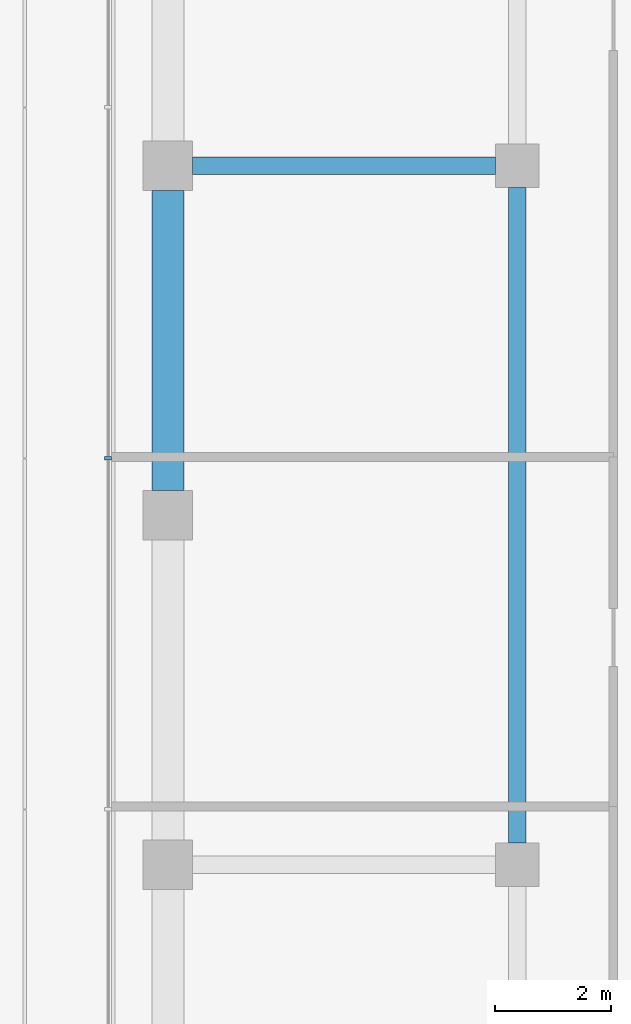
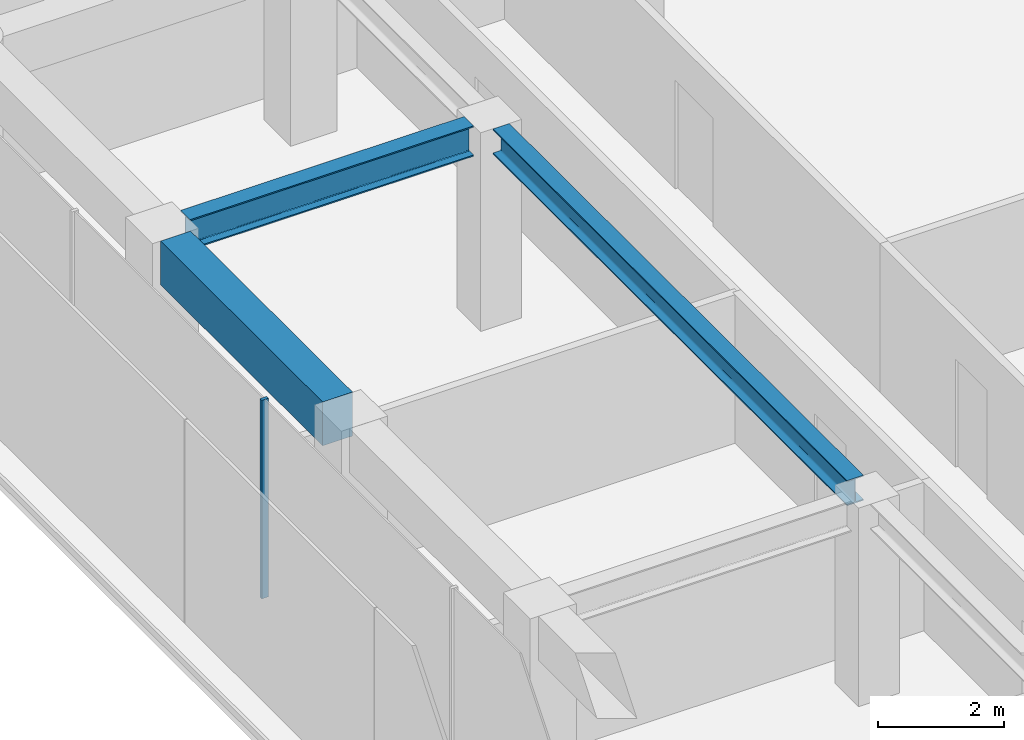
# One storey, part 11 of 21: 3 beams, 1 member, 1 element without a shape of its own.
"""IFC4 building model written with IfcOpenShell, lengths in metres."""

import ifcopenshell
import ifcopenshell.guid

model = None  # the IFC model being written
_history = None  # IfcOwnerHistory: only IFC2X3 demands one
_inside = {}  # id of a spatial element -> (the spatial element, [elements in it])
_under = {}  # id of a project, library or spatial element -> (it, [spatial elements below it])
_declared = {}  # id of a project -> (the project, [libraries it declares])
_typed = {}  # id of a type object -> (the type object, [elements of that type])
_made_of = {}  # id of a material, layer set ... -> (it, [elements and type objects made of it])


def new_model(schema):
    """Start an empty IFC model of exactly this schema.

    Asked for "IFC4X3", IfcOpenShell would pick the latest addendum, in which some entities
    have other attributes; the version numbers below select the first issue.
    IFC2X3 requires an IfcOwnerHistory on every rooted entity: one is made here for all.
    """
    global model, _history
    if schema == "IFC4X3":
        model = ifcopenshell.file(schema_version=(4, 3, 0, 0))
    else:
        model = ifcopenshell.file(schema=schema)
    _inside.clear()
    _under.clear()
    _declared.clear()
    _typed.clear()
    _made_of.clear()
    _history = None
    if model.schema == "IFC2X3":
        org = make("IfcOrganization", Name="unknown")
        user = make(
            "IfcPersonAndOrganization",
            ThePerson=make("IfcPerson", FamilyName="unknown"),
            TheOrganization=org,
        )
        app = make(
            "IfcApplication",
            ApplicationDeveloper=org,
            Version="unknown",
            ApplicationFullName="unknown",
            ApplicationIdentifier="unknown",
        )
        _history = make(
            "IfcOwnerHistory",
            OwningUser=user,
            OwningApplication=app,
            ChangeAction="ADDED",
            CreationDate=0,
        )
    return model


def make(cls, **values):
    """One entity of the class cls with the attributes given. An attribute that is None is left unset."""
    return model.create_entity(
        cls, **{name: value for name, value in values.items() if value is not None}
    )


def rooted(cls, **values):
    """An entity with a GlobalId (a new one), such as an element, a storey or a relation."""
    return make(cls, GlobalId=ifcopenshell.guid.new(), OwnerHistory=_history, **values)


def si_unit(unit_type, name, prefix=None):
    """IfcSIUnit, for example si_unit("LENGTHUNIT", "METRE", prefix="MILLI")."""
    return make("IfcSIUnit", UnitType=unit_type, Prefix=prefix, Name=name)


def assignment(units):
    """IfcUnitAssignment: the units of a project."""
    return None if units is None else make("IfcUnitAssignment", Units=units)


def point(xyz):
    """IfcCartesianPoint."""
    return None if xyz is None else make("IfcCartesianPoint", Coordinates=xyz)


def direction(xyz):
    """IfcDirection."""
    return None if xyz is None else make("IfcDirection", DirectionRatios=xyz)


def frame(location, z_axis=None, x_axis=None):
    """IfcAxis2Placement3D, a coordinate frame: its origin and axes. An axis left out is left unset."""
    return make(
        "IfcAxis2Placement3D",
        Location=point(location),
        Axis=direction(z_axis),
        RefDirection=direction(x_axis),
    )


def frame_2d(location, x_axis=None):
    """IfcAxis2Placement2D, a coordinate frame in the plane: its origin and x axis."""
    return make(
        "IfcAxis2Placement2D", Location=point(location), RefDirection=direction(x_axis)
    )


def origin():
    """The frame at (0, 0, 0) with its axes left unset."""
    return frame((0.0, 0.0, 0.0))


def origin_2d():
    """The frame at (0, 0) in the plane with its x axis left unset."""
    return frame_2d((0.0, 0.0))


def place(relative_to, where):
    """IfcLocalPlacement: puts the frame where relative to a parent placement (None: the world)."""
    return make(
        "IfcLocalPlacement", PlacementRelTo=relative_to, RelativePlacement=where
    )


def context(
    kind, dimensions, precision=None, world=None, true_north=None, identifier=None
):
    """IfcGeometricRepresentationContext, for example the 3D "Model" context."""
    return make(
        "IfcGeometricRepresentationContext",
        ContextIdentifier=identifier,
        ContextType=kind,
        CoordinateSpaceDimension=dimensions,
        Precision=precision,
        WorldCoordinateSystem=world,
        TrueNorth=true_north,
    )


def subcontext(parent, identifier, kind, view, scale=None):
    """IfcGeometricRepresentationSubContext, for example "Body" below "Model"."""
    return make(
        "IfcGeometricRepresentationSubContext",
        ContextIdentifier=identifier,
        ContextType=kind,
        ParentContext=parent,
        TargetScale=scale,
        TargetView=view,
    )


def project(units=None, contexts=None):
    """IfcProject with its units and contexts."""
    return rooted(
        "IfcProject",
        Name="project",
        RepresentationContexts=contexts,
        UnitsInContext=assignment(units),
    )


def spatial(cls, under=None, at=None, **own):
    """A site, building, storey or space (cls), placed at a placement, below another one or the project."""
    s = rooted(cls, ObjectPlacement=at, **own)
    if under is not None:
        _under.setdefault(under.id(), (under, []))[1].append(s)
    return s


def profile(cls, at=None, kind="AREA", **sizes):
    """A parametric profile (cls). Its sizes go by their IFC names, for example OverallWidth=200.0."""
    return make(cls, ProfileType=kind, Position=at, **sizes)


def rectangle(**sizes):
    """IfcRectangleProfileDef."""
    return profile("IfcRectangleProfileDef", **sizes)


def i_section(**sizes):
    """IfcIShapeProfileDef."""
    return profile("IfcIShapeProfileDef", **sizes)


def extrude(swept, where, along, depth):
    """IfcExtrudedAreaSolid: the profile swept, set in the frame where, extruded along a direction by depth."""
    return make(
        "IfcExtrudedAreaSolid",
        SweptArea=swept,
        Position=where,
        ExtrudedDirection=direction(along),
        Depth=depth,
    )


def shape(context_of_items, identifier, shape_type, items):
    """IfcShapeRepresentation: the items that make up one representation, for example the "Body"."""
    return make(
        "IfcShapeRepresentation",
        ContextOfItems=context_of_items,
        RepresentationIdentifier=identifier,
        RepresentationType=shape_type,
        Items=items,
    )


def material(Name=None, Category=None):
    """IfcMaterial."""
    return make("IfcMaterial", Name=Name, Category=Category)


def layer(
    of_material, thickness, ventilated=None, Name=None, Category=None, Priority=None
):
    """IfcMaterialLayer: one layer of a wall or slab, of a material (None: an air gap)."""
    return make(
        "IfcMaterialLayer",
        Material=of_material,
        LayerThickness=thickness,
        IsVentilated=ventilated,
        Name=Name,
        Category=Category,
        Priority=Priority,
    )


def layer_set(layers, Name=None):
    """IfcMaterialLayerSet."""
    return make("IfcMaterialLayerSet", MaterialLayers=layers, LayerSetName=Name)


def material_profile(
    of_material, cross_section, Name=None, Category=None, Priority=None
):
    """IfcMaterialProfile: a cross section and its material."""
    return make(
        "IfcMaterialProfile",
        Name=Name,
        Material=of_material,
        Profile=cross_section,
        Priority=Priority,
        Category=Category,
    )


def profile_set(profiles, Name=None, composite=None):
    """IfcMaterialProfileSet."""
    return make(
        "IfcMaterialProfileSet",
        Name=Name,
        MaterialProfiles=profiles,
        CompositeProfile=composite,
    )


def made_of(thing, what):
    """Note that an element or type object is made of a material, layer set ...; save() writes the relation."""
    if what is not None:
        _made_of.setdefault(what.id(), (what, []))[1].append(thing)
    return thing


def type_object(cls, material=None, **own):
    """A type object (cls), such as IfcWallType, which elements share."""
    return made_of(rooted(cls, **own), material)


def element(
    cls,
    number,
    at=None,
    inside=None,
    cuts=None,
    type_object=None,
    material=None,
    context=None,
    identifier="Body",
    shape_type=None,
    held_by="IfcProductDefinitionShape",
    body=None,
    shapes=None,
    **own,
):
    """One element of the class cls, such as IfcWall. Its Tag is "e" and its number.

    at: its placement. inside: the storey or other place that contains it. cuts: it is an
    opening in that element (IfcRelVoidsElement). A single representation is given by context,
    identifier, shape_type and body (its items); several are given by shapes. held_by: the class
    of the entity that holds the representations. save() writes the other relations.
    """
    e = rooted(cls, Tag="e%d" % number, ObjectPlacement=at, **own)
    if body is not None:
        shapes = [shape(context, identifier, shape_type, body)]
    if shapes is not None:
        e.Representation = make(held_by, Representations=shapes)
    if inside is not None:
        _inside.setdefault(inside.id(), (inside, []))[1].append(e)
    if cuts is not None:
        rooted(
            "IfcRelVoidsElement", RelatingBuildingElement=cuts, RelatedOpeningElement=e
        )
    if type_object is not None:
        _typed.setdefault(type_object.id(), (type_object, []))[1].append(e)
    return made_of(e, material)


def aggregate(whole, parts):
    """IfcRelAggregates: a whole, such as a stair, and the parts it consists of."""
    return rooted("IfcRelAggregates", RelatingObject=whole, RelatedObjects=parts)


def save(model, path):
    """Write the relations noted so far, then the file.

    IfcRelAggregates (storeys below a building ...), IfcRelContainedInSpatialStructure (elements
    in a storey), IfcRelDefinesByType, IfcRelAssociatesMaterial and IfcRelDeclares: one each for
    every whole, place, type object, material and project.
    """
    for whole, parts in _under.values():
        aggregate(whole, parts)
    for where, things in _inside.values():
        rooted(
            "IfcRelContainedInSpatialStructure",
            RelatedElements=things,
            RelatingStructure=where,
        )
    for kind, things in _typed.values():
        rooted("IfcRelDefinesByType", RelatedObjects=things, RelatingType=kind)
    for what, things in _made_of.values():
        rooted("IfcRelAssociatesMaterial", RelatedObjects=things, RelatingMaterial=what)
    for by, libraries in _declared.values():
        rooted("IfcRelDeclares", RelatingContext=by, RelatedDefinitions=libraries)
    model.write(path)


model = new_model("IFC4")

# Units and contexts
model_context = context("Model", 3, precision=1e-05, world=origin(), true_north=direction((0.0, 1.0)))
body_context = subcontext(model_context, "Body", "Model", "MODEL_VIEW")
ifc_project = project(units=[si_unit("LENGTHUNIT", "METRE"), si_unit("AREAUNIT", "SQUARE_METRE"), si_unit("VOLUMEUNIT", "CUBIC_METRE"), si_unit("PLANEANGLEUNIT", "RADIAN"), si_unit("MASSUNIT", "GRAM", prefix="KILO")], contexts=[model_context])

# Site, building, storey
site_placement = place(None, origin())
site = spatial("IfcSite", under=ifc_project, at=site_placement, CompositionType="ELEMENT")
building_placement = place(site_placement, origin())
building = spatial("IfcBuilding", under=site, at=building_placement, Name="Welwitschia Terrace Campus", CompositionType="ELEMENT")
storey_placement = place(building_placement, frame((0.0, 0.0, 159.199951171875)))
storey = spatial("IfcBuildingStorey", under=building, at=storey_placement, Name="L35", CompositionType="ELEMENT", Elevation=159.199951171875)

# Beam
ifc_material_1 = material(Name="Steel S355", Category="steel")
ifc_material_profile_1 = material_profile(ifc_material_1, i_section(OverallWidth=0.300048828125, OverallDepth=0.489990234375, WebThickness=0.011962890625, FlangeThickness=0.02294921875, FilletRadius=0.027099609375, at=origin_2d()))
ifc_profile_set_1 = profile_set([ifc_material_profile_1], Name="Steel S355")
beam_type_1 = type_object("IfcBeamType", Name="Interior girder HE 500 A", PredefinedType="BEAM", material=ifc_profile_set_1)
beam_1_placement = place(storey_placement, frame((6.0, 44.37548828125, 3.60498046875), z_axis=(0.0, 1.0, 0.0), x_axis=(-1.0, 0.0, 0.0)))
element("IfcBeam", 1, at=beam_1_placement, inside=storey, type_object=beam_type_1, Name="Girder GB4", PredefinedType="BEAM", context=body_context, shape_type="SweptSolid", body=[
    extrude(i_section(OverallWidth=0.300048828125, OverallDepth=0.489990234375, WebThickness=0.011962890625, FlangeThickness=0.02294921875, FilletRadius=0.027099609375, at=origin_2d()), origin(), (0.0, 0.0, 1.0), 11.2490234375),
])

# Curtain wall, member
ifc_material_2 = material(Name="Bronze anodised aluminium", Category="aluminium")
ifc_layer = layer(ifc_material_2, 0.1201171875)
ifc_layer_set = layer_set([ifc_layer], Name="Bronze anodised aluminium")
curtain_wall_type = type_object("IfcCurtainWallType", Name="Curtain wall CW2 tower 6000", PredefinedType="NOTDEFINED", material=ifc_layer_set)
curtain_wall_placement = place(storey_placement, origin())
curtain_wall = element("IfcCurtainWall", 2, at=curtain_wall_placement, inside=storey, type_object=curtain_wall_type, Name="CW L35.11.0", PredefinedType="NOTDEFINED")
ifc_material_3 = material(Name="Bronze anodised aluminium", Category="aluminium")
ifc_material_profile_2 = material_profile(ifc_material_3, rectangle(XDim=0.1201171875, YDim=0.06005859375, at=origin_2d()))
ifc_profile_set_2 = profile_set([ifc_material_profile_2], Name="Bronze anodised aluminium")
member_type = type_object("IfcMemberType", Name="Mullion 60x120", PredefinedType="MULLION", material=ifc_profile_set_2)
member_placement = place(storey_placement, frame((-1.030029296875, 50.976318359375, 0.0), z_axis=(0.0, 0.0, 1.0), x_axis=(1.0, 0.0, 0.0)))
member = element("IfcMember", 3, at=member_placement, type_object=member_type, Name="Mullion L35.11.0.2", PredefinedType="MULLION", context=body_context, shape_type="SweptSolid", body=[
    extrude(rectangle(XDim=0.1201171875, YDim=0.06005859375, at=origin_2d()), origin(), (0.0, 0.0, 1.0), 3.85009765625),
])
aggregate(curtain_wall, [member])

# Beams
ifc_material_4 = material(Name="Steel S355", Category="steel")
ifc_material_profile_3 = material_profile(ifc_material_4, i_section(OverallWidth=0.300048828125, OverallDepth=0.590087890625, WebThickness=0.012939453125, FlangeThickness=0.02490234375, FilletRadius=0.027099609375, at=origin_2d()))
ifc_profile_set_3 = profile_set([ifc_material_profile_3], Name="Steel S355")
beam_type_2 = type_object("IfcBeamType", Name="Primary beam HE 600 A", PredefinedType="BEAM", material=ifc_profile_set_3)
beam_2_placement = place(storey_placement, frame((0.425537109375, 56.0, 3.554931640625), z_axis=(1.0, 0.0, 0.0), x_axis=(0.0, 1.0, 0.0)))
element("IfcBeam", 4, at=beam_2_placement, inside=storey, type_object=beam_type_2, Name="Primary beam PB4", PredefinedType="BEAM", context=body_context, shape_type="SweptSolid", body=[
    extrude(i_section(OverallWidth=0.300048828125, OverallDepth=0.590087890625, WebThickness=0.012939453125, FlangeThickness=0.02490234375, FilletRadius=0.027099609375, at=origin_2d()), origin(), (0.0, 0.0, 1.0), 5.198974609375),
])
ifc_material_5 = material(Name="Concrete C50/60", Category="concrete")
ifc_material_profile_4 = material_profile(ifc_material_5, rectangle(XDim=0.550048828125, YDim=0.85009765625, at=origin_2d()))
ifc_profile_set_4 = profile_set([ifc_material_profile_4], Name="Concrete C50/60")
beam_type_3 = type_object("IfcBeamType", Name="Ring spandrel 550x850", PredefinedType="SPANDREL", material=ifc_profile_set_4)
beam_3_placement = place(storey_placement, frame((0.0, 55.574462890625, 3.425048828125), z_axis=(0.0, -1.0, 0.0), x_axis=(1.0, 0.0, 0.0)))
element("IfcBeam", 5, at=beam_3_placement, inside=storey, type_object=beam_type_3, Name="Spandrel SP3", PredefinedType="SPANDREL", context=body_context, shape_type="SweptSolid", body=[
    extrude(rectangle(XDim=0.550048828125, YDim=0.85009765625, at=origin_2d()), origin(), (0.0, 0.0, 1.0), 5.14892578125),
])

save(model, "model.ifc")
